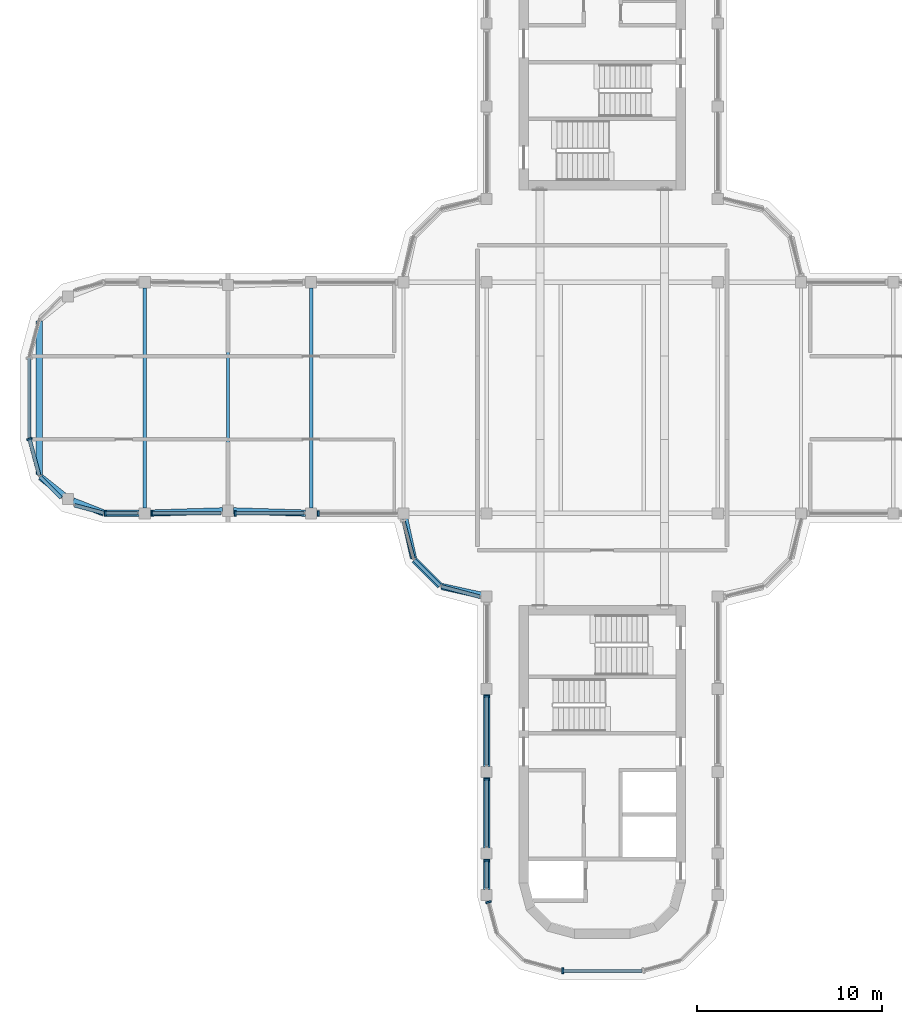
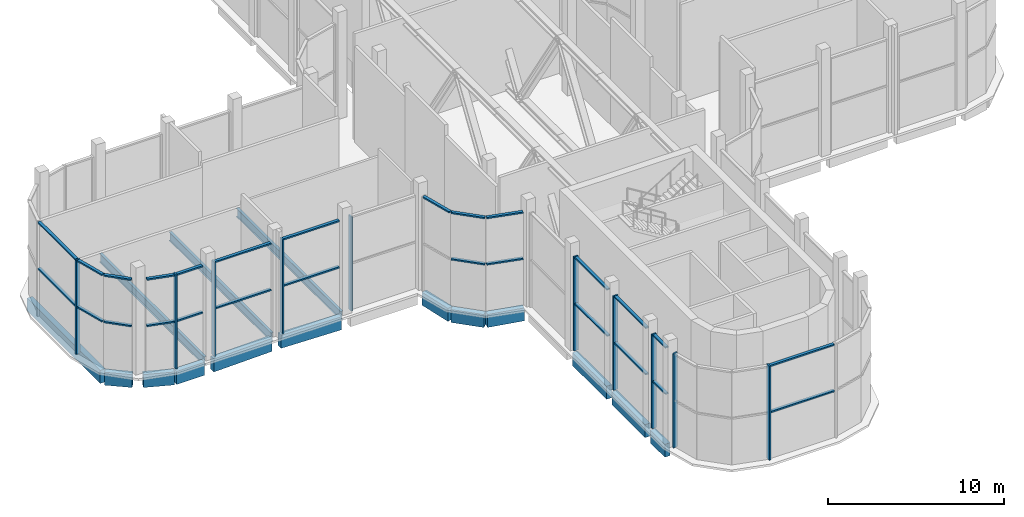
# One storey, part 2 of 15: 37 members, 15 beams, 11 elements without a shape of their own.
"""IFC4 building model written with IfcOpenShell, lengths in metres."""

from ifc_helpers import new_model, si_unit, direction, frame, origin, origin_2d, place, context, subcontext, project, spatial, polyline, rectangle, i_section, outline, extrude, source, transform, mapped, material, material_profile, profile_set, type_object, element, aggregate, save


model = new_model("IFC4")

# Units and contexts
model_context = context("Model", 3, precision=1e-05, world=origin(), true_north=direction((0.0, 1.0)))
body_context = subcontext(model_context, "Body", "Model", "MODEL_VIEW")
ifc_project = project(units=[si_unit("LENGTHUNIT", "METRE"), si_unit("AREAUNIT", "SQUARE_METRE"), si_unit("VOLUMEUNIT", "CUBIC_METRE"), si_unit("PLANEANGLEUNIT", "RADIAN"), si_unit("MASSUNIT", "GRAM", prefix="KILO")], contexts=[model_context])

# Site, building, storey
site_placement = place(None, origin())
site = spatial("IfcSite", under=ifc_project, at=site_placement, CompositionType="ELEMENT")
building_placement = place(site_placement, origin())
building = spatial("IfcBuilding", under=site, at=building_placement, Name="Zarbagh Exchange Tower", CompositionType="ELEMENT")
storey_placement = place(building_placement, frame((0.0, 0.0, 284.0)))
storey = spatial("IfcBuildingStorey", under=building, at=storey_placement, Name="L70", CompositionType="ELEMENT", Elevation=284.0)

# Beams
ifc_material_1 = material(Name="Steel ASTM A992 Gr 50", Category="steel")
ifc_material_profile_1 = material_profile(ifc_material_1, i_section(OverallWidth=0.1787109375, OverallDepth=0.60205078125, WebThickness=0.010986328125, FlangeThickness=0.014892578125, at=origin_2d()), Name="W24X62")
ifc_profile_set_1 = profile_set([ifc_material_profile_1], Name="Steel ASTM A992 Gr 50")
beam_type_1 = type_object("IfcBeamType", Name="Floor beam W24X62", PredefinedType="BEAM", material=ifc_profile_set_1)
beam_1_placement = place(storey_placement, frame((-15.75, -5.949951171875, -0.450927734375), z_axis=(0.0, 1.0, 0.0), x_axis=(-1.0, 0.0, 0.0)))
element("IfcBeam", 1, at=beam_1_placement, inside=storey, type_object=beam_type_1, Name="Steel floor beam", PredefinedType="BEAM", context=body_context, shape_type="SweptSolid", body=[
    extrude(i_section(OverallWidth=0.1787109375, OverallDepth=0.60205078125, WebThickness=0.010986328125, FlangeThickness=0.014892578125, at=origin_2d()), origin(), (0.0, 0.0, 1.0), 11.89990234375),
])
beam_2_placement = place(storey_placement, frame((-20.25, -5.81005859375, -0.450927734375), z_axis=(0.0, 1.0, 0.0), x_axis=(-1.0, 0.0, 0.0)))
element("IfcBeam", 2, at=beam_2_placement, inside=storey, type_object=beam_type_1, Name="Steel floor beam", PredefinedType="BEAM", context=body_context, shape_type="SweptSolid", body=[
    extrude(i_section(OverallWidth=0.1787109375, OverallDepth=0.60205078125, WebThickness=0.010986328125, FlangeThickness=0.014892578125, at=origin_2d()), origin(), (0.0, 0.0, 1.0), 11.6201171875),
])
beam_3_placement = place(storey_placement, frame((-24.75, -5.949951171875, -0.450927734375), z_axis=(0.0, 1.0, 0.0), x_axis=(-1.0, 0.0, 0.0)))
element("IfcBeam", 3, at=beam_3_placement, inside=storey, type_object=beam_type_1, Name="Steel floor beam", PredefinedType="BEAM", context=body_context, shape_type="SweptSolid", body=[
    extrude(i_section(OverallWidth=0.1787109375, OverallDepth=0.60205078125, WebThickness=0.010986328125, FlangeThickness=0.014892578125, at=origin_2d()), origin(), (0.0, 0.0, 1.0), 11.89990234375),
])
ifc_material_2 = material(Name="Concrete C40/50", Category="concrete")
ifc_material_profile_2 = material_profile(ifc_material_2, rectangle(XDim=0.35009765625, YDim=0.89990234375, at=origin_2d()), Name="RC spandrel beam 350 x 900 C40/50")
ifc_profile_set_2 = profile_set([ifc_material_profile_2], Name="Concrete C40/50")
beam_type_2 = type_object("IfcBeamType", Name="RC spandrel beam 350 x 900 C40/50", PredefinedType="SPANDREL", material=ifc_profile_set_2)
beam_4_placement = place(storey_placement, frame((-6.25, -26.60009765625, -0.60009765625), z_axis=(0.0, 1.0, 0.0), x_axis=(-1.0, 0.0, 0.0)))
element("IfcBeam", 4, at=beam_4_placement, inside=storey, type_object=beam_type_2, Name="RC spandrel beam", PredefinedType="SPANDREL", context=body_context, shape_type="SweptSolid", body=[
    extrude(rectangle(XDim=0.35009765625, YDim=0.89990234375, at=origin_2d()), origin(), (0.0, 0.0, 1.0), 1.650146484375),
])
beam_5_placement = place(storey_placement, frame((-6.25, -24.35009765625, -0.60009765625), z_axis=(0.0, 1.0, 0.0), x_axis=(-1.0, 0.0, 0.0)))
element("IfcBeam", 5, at=beam_5_placement, inside=storey, type_object=beam_type_2, Name="RC spandrel beam", PredefinedType="SPANDREL", context=body_context, shape_type="SweptSolid", body=[
    extrude(rectangle(XDim=0.35009765625, YDim=0.89990234375, at=origin_2d()), origin(), (0.0, 0.0, 1.0), 3.800048828125),
])
beam_6_placement = place(storey_placement, frame((-6.25, -19.949951171875, -0.60009765625), z_axis=(0.0, 1.0, 0.0), x_axis=(-1.0, 0.0, 0.0)))
element("IfcBeam", 6, at=beam_6_placement, inside=storey, type_object=beam_type_2, Name="RC spandrel beam", PredefinedType="SPANDREL", context=body_context, shape_type="SweptSolid", body=[
    extrude(rectangle(XDim=0.35009765625, YDim=0.89990234375, at=origin_2d()), origin(), (0.0, 0.0, 1.0), 3.89990234375),
])
beam_7_placement = place(storey_placement, frame((-6.54296875, -10.685302734375, -0.60009765625), z_axis=(-0.976387662047, 0.216025770228, 0.0), x_axis=(-0.216025770228, -0.976387662047, 0.0)))
element("IfcBeam", 7, at=beam_7_placement, inside=storey, type_object=beam_type_2, Name="RC spandrel beam", PredefinedType="SPANDREL", context=body_context, shape_type="SweptSolid", body=[
    extrude(rectangle(XDim=0.35009765625, YDim=0.89990234375, at=origin_2d()), origin(), (0.0, 0.0, 1.0), 2.200439453125),
])
beam_8_placement = place(storey_placement, frame((-8.77734375, -10.16259765625, -0.60009765625), z_axis=(-0.707106781187, 0.707106781187, 0.0), x_axis=(-0.707106781187, -0.707106781187, 0.0)))
element("IfcBeam", 8, at=beam_8_placement, inside=storey, type_object=beam_type_2, Name="RC spandrel beam", PredefinedType="SPANDREL", context=body_context, shape_type="SweptSolid", body=[
    extrude(rectangle(XDim=0.35009765625, YDim=0.89990234375, at=origin_2d()), origin(), (0.0, 0.0, 1.0), 1.958984375),
])
beam_9_placement = place(storey_placement, frame((-10.2099609375, -8.69140625, -0.60009765625), z_axis=(-0.216025770228, 0.976387662047, 0.0), x_axis=(-0.976387662047, -0.216025770228, 0.0)))
element("IfcBeam", 9, at=beam_9_placement, inside=storey, type_object=beam_type_2, Name="RC spandrel beam", PredefinedType="SPANDREL", context=body_context, shape_type="SweptSolid", body=[
    extrude(rectangle(XDim=0.35009765625, YDim=0.89990234375, at=origin_2d()), origin(), (0.0, 0.0, 1.0), 2.200439453125),
])
for number, where, z_axis, x_axis, name in (
    (10, (-16.0498046875, -6.24072265625, -0.60009765625), (-0.999516460907, 0.031094121249, 0.0), (-0.031094121249, -0.999516460907, 0.0), "RC spandrel beam"),
    (11, (-20.5498046875, -6.119384765625, -0.60009765625), (-0.999516460907, -0.031094121249, 0.0), (0.031094121249, -0.999516460907, 0.0), "RC spandrel beam"),
):
    element("IfcBeam", number, at=place(storey_placement, frame(where, z_axis=z_axis, x_axis=x_axis)), inside=storey, type_object=beam_type_2, Name=name, PredefinedType="SPANDREL", context=body_context, shape_type="SweptSolid", body=[
        extrude(rectangle(XDim=0.35009765625, YDim=0.89990234375, at=origin_2d()), origin(), (0.0, 0.0, 1.0), 3.90234375),
    ])
beam_10_placement = place(storey_placement, frame((-25.050048828125, -6.25, -0.60009765625), z_axis=(-1.0, 0.0, 0.0), x_axis=(0.0, -1.0, 0.0)))
element("IfcBeam", 12, at=beam_10_placement, inside=storey, type_object=beam_type_2, Name="RC spandrel beam", PredefinedType="SPANDREL", context=body_context, shape_type="SweptSolid", body=[
    extrude(rectangle(XDim=0.35009765625, YDim=0.89990234375, at=origin_2d()), origin(), (0.0, 0.0, 1.0), 1.850830078125),
])
beam_11_placement = place(storey_placement, frame((-26.965087890625, -6.23779296875, -0.60009765625), z_axis=(-0.930859366381, 0.365377667655, 0.0), x_axis=(-0.365377667655, -0.930859366381, 0.0)))
element("IfcBeam", 13, at=beam_11_placement, inside=storey, type_object=beam_type_2, Name="RC spandrel beam", PredefinedType="SPANDREL", context=body_context, shape_type="SweptSolid", body=[
    extrude(rectangle(XDim=0.35009765625, YDim=0.89990234375, at=origin_2d()), origin(), (0.0, 0.0, 1.0), 1.787353515625),
])
beam_12_placement = place(storey_placement, frame((-29.14208984375, -5.28759765625, -0.60009765625), z_axis=(-0.780584122498, 0.625050740104, 0.0), x_axis=(-0.625050740104, -0.780584122498, 0.0)))
element("IfcBeam", 14, at=beam_12_placement, inside=storey, type_object=beam_type_2, Name="RC spandrel beam", PredefinedType="SPANDREL", context=body_context, shape_type="SweptSolid", body=[
    extrude(rectangle(XDim=0.35009765625, YDim=0.89990234375, at=origin_2d()), origin(), (0.0, 0.0, 1.0), 1.590087890625),
])
beam_13_placement = place(storey_placement, frame((-30.44873046875, -4.156982421875, -0.60009765625), z_axis=(0.0, 1.0, 0.0), x_axis=(-1.0, 0.0, 0.0)))
element("IfcBeam", 15, at=beam_13_placement, inside=storey, type_object=beam_type_2, Name="RC spandrel beam", PredefinedType="SPANDREL", context=body_context, shape_type="SweptSolid", body=[
    extrude(rectangle(XDim=0.35009765625, YDim=0.89990234375, at=origin_2d()), origin(), (0.0, 0.0, 1.0), 8.31396484375),
])

# Curtain wall, member
ifc_material_3 = material(Name="Anodised aluminium frame and glazing", Category="aluminium")
curtain_wall_type = type_object("IfcCurtainWallType", Name="CWE Damper-floor glazed wall", PredefinedType="NOTDEFINED", material=ifc_material_3)
curtain_wall_1_placement = place(storey_placement, origin())
curtain_wall_1 = element("IfcCurtainWall", 16, at=curtain_wall_1_placement, inside=storey, type_object=curtain_wall_type, Name="CWE36 curtain wall", PredefinedType="NOTDEFINED")
ifc_material_4 = material(Name="Anodised aluminium frame", Category="aluminium")
member_type_1 = type_object("IfcMemberType", Name="MUE Mullion, anodised aluminium frame", PredefinedType="MULLION", material=ifc_material_4)
shared_shape_1 = source(origin(), body_context, "Body", "SweptSolid", [
    extrude(outline(polyline([(0.0, -0.14990234375), (0.10009765625, -0.14990234375), (0.10009765625, 0.14990234375), (0.0, 0.14990234375), (0.0, -0.14990234375)])), origin(), (0.0, 0.0, 1.0), 6.550048828125),
])
placement = place(storey_placement, origin())
member_1 = element("IfcMember", 17, at=placement, type_object=member_type_1, Name="CWE36 mullion 1.1", PredefinedType="MULLION", context=body_context, shape_type="MappedRepresentation", body=[
    mapped(shared_shape_1, transform((-31.0, -2.18408203125, 0.0), x_axis=(0.258824779902, -0.965924289636, 0.0), y_axis=(0.965924289636, 0.258824779902, 0.0), z_axis=(0.0, 0.0, 1.0))),
])

# Curtain wall, members
curtain_wall_2_placement = place(storey_placement, origin())
curtain_wall_2 = element("IfcCurtainWall", 18, at=curtain_wall_2_placement, inside=storey, type_object=curtain_wall_type, Name="CWE39 curtain wall", PredefinedType="NOTDEFINED")
member_2 = element("IfcMember", 19, at=placement, type_object=member_type_1, Name="CWE39 mullion 1.1", PredefinedType="MULLION", context=body_context, shape_type="MappedRepresentation", body=[
    mapped(shared_shape_1, transform((-26.93408203125, -6.25, 0.0), x_axis=(1.0, 0.0, 0.0), y_axis=(0.0, 1.0, 0.0), z_axis=(0.0, 0.0, 1.0))),
])
member_3 = element("IfcMember", 20, at=placement, type_object=member_type_1, Name="CWE39 mullion 2.1", PredefinedType="MULLION", context=body_context, shape_type="MappedRepresentation", body=[
    mapped(shared_shape_1, transform((-24.409912109375, -6.25, 0.0), x_axis=(1.0, 0.0, 0.0), y_axis=(0.0, 1.0, 0.0), z_axis=(0.0, 0.0, 1.0))),
])
member_4 = element("IfcMember", 21, at=placement, type_object=member_type_1, Name="CWE39 mullion 3.1", PredefinedType="MULLION", context=body_context, shape_type="MappedRepresentation", body=[
    mapped(shared_shape_1, transform((-19.909912109375, -6.25, 0.0), x_axis=(1.0, 0.0, 0.0), y_axis=(0.0, 1.0, 0.0), z_axis=(0.0, 0.0, 1.0))),
])
member_5 = element("IfcMember", 22, at=placement, type_object=member_type_1, Name="CWE39 mullion 4.1", PredefinedType="MULLION", context=body_context, shape_type="MappedRepresentation", body=[
    mapped(shared_shape_1, transform((-15.409912109375, -6.25, 0.0), x_axis=(1.0, 0.0, 0.0), y_axis=(0.0, 1.0, 0.0), z_axis=(0.0, 0.0, 1.0))),
])

curtain_wall_3_placement = place(storey_placement, origin())
curtain_wall_3 = element("IfcCurtainWall", 23, at=curtain_wall_3_placement, inside=storey, type_object=curtain_wall_type, Name="CWE43 curtain wall", PredefinedType="NOTDEFINED")
member_6 = element("IfcMember", 24, at=placement, type_object=member_type_1, Name="CWE43 mullion 2.1", PredefinedType="MULLION", context=body_context, shape_type="MappedRepresentation", body=[
    mapped(shared_shape_1, transform((-6.25, -16.090087890625, 0.0), x_axis=(0.0, -1.0, 0.0), y_axis=(1.0, 0.0, 0.0), z_axis=(0.0, 0.0, 1.0))),
])
member_7 = element("IfcMember", 25, at=placement, type_object=member_type_1, Name="CWE43 mullion 3.1", PredefinedType="MULLION", context=body_context, shape_type="MappedRepresentation", body=[
    mapped(shared_shape_1, transform((-6.25, -20.590087890625, 0.0), x_axis=(0.0, -1.0, 0.0), y_axis=(1.0, 0.0, 0.0), z_axis=(0.0, 0.0, 1.0))),
])
member_8 = element("IfcMember", 26, at=placement, type_object=member_type_1, Name="CWE43 mullion 4.1", PredefinedType="MULLION", context=body_context, shape_type="MappedRepresentation", body=[
    mapped(shared_shape_1, transform((-6.25, -24.989990234375, 0.0), x_axis=(0.0, -1.0, 0.0), y_axis=(1.0, 0.0, 0.0), z_axis=(0.0, 0.0, 1.0))),
])

# Curtain wall, member
curtain_wall_4_placement = place(storey_placement, origin())
curtain_wall_4 = element("IfcCurtainWall", 27, at=curtain_wall_4_placement, inside=storey, type_object=curtain_wall_type, Name="CWE44 curtain wall", PredefinedType="NOTDEFINED")
member_9 = element("IfcMember", 28, at=placement, type_object=member_type_1, Name="CWE44 mullion 1.1", PredefinedType="MULLION", context=body_context, shape_type="MappedRepresentation", body=[
    mapped(shared_shape_1, transform((-6.16796875, -27.239990234375, 0.0), x_axis=(0.258824779902, -0.965924289636, 0.0), y_axis=(0.965924289636, 0.258824779902, 0.0), z_axis=(0.0, 0.0, 1.0))),
])
aggregate(curtain_wall_4, [member_9])

curtain_wall_5_placement = place(storey_placement, origin())
curtain_wall_5 = element("IfcCurtainWall", 29, at=curtain_wall_5_placement, inside=storey, type_object=curtain_wall_type, Name="CWE47 curtain wall", PredefinedType="NOTDEFINED")
member_10 = element("IfcMember", 30, at=placement, type_object=member_type_1, Name="CWE47 mullion 1.1", PredefinedType="MULLION", context=body_context, shape_type="MappedRepresentation", body=[
    mapped(shared_shape_1, transform((-2.18408203125, -31.0, 0.0), x_axis=(1.0, 0.0, 0.0), y_axis=(0.0, 1.0, 0.0), z_axis=(0.0, 0.0, 1.0))),
])

# Member
member_type_2 = type_object("IfcMemberType", Name="TRE Transom, anodised aluminium frame", PredefinedType="USERDEFINED", material=ifc_material_4)
shared_shape_2 = source(origin(), body_context, "Body", "SweptSolid", [
    extrude(outline(polyline([(-0.10009765625, -0.10009765625), (0.0, -0.10009765625), (0.0, 0.10009765625), (-0.10009765625, 0.10009765625), (-0.10009765625, -0.10009765625)])), origin(), (0.0, 0.0, 1.0), 2.049560546875),
])
member_11 = element("IfcMember", 31, at=placement, type_object=member_type_2, Name="CWE36 transom 1.1", ObjectType="TRANSOM", PredefinedType="USERDEFINED", context=body_context, shape_type="MappedRepresentation", body=[
    mapped(shared_shape_2, transform((-30.98974609375, -2.222900390625, 6.550048828125), x_axis=(0.0, 0.0, 1.0), y_axis=(-0.965924289636, -0.258824779902, 0.0), z_axis=(0.258824779902, -0.965924289636, 0.0))),
])

shared_shape_3 = source(origin(), body_context, "Body", "SweptSolid", [
    extrude(outline(polyline([(-0.050048828125, -0.10009765625), (0.050048828125, -0.10009765625), (0.050048828125, 0.10009765625), (-0.050048828125, 0.10009765625), (-0.050048828125, -0.10009765625)])), origin(), (0.0, 0.0, 1.0), 2.049560546875),
])
member_12 = element("IfcMember", 32, at=placement, type_object=member_type_2, Name="CWE36 mid transom 1", ObjectType="TRANSOM", PredefinedType="USERDEFINED", context=body_context, shape_type="MappedRepresentation", body=[
    mapped(shared_shape_3, transform((-30.98974609375, -2.222900390625, 3.27490234375), x_axis=(0.0, 0.0, 1.0), y_axis=(-0.965924289636, -0.258824779902, 0.0), z_axis=(0.258824779902, -0.965924289636, 0.0))),
])

aggregate(curtain_wall_1, [member_1, member_11, member_12])

# Curtain wall, members
curtain_wall_6_placement = place(storey_placement, origin())
curtain_wall_6 = element("IfcCurtainWall", 33, at=curtain_wall_6_placement, inside=storey, type_object=curtain_wall_type, Name="CWE41 curtain wall", PredefinedType="NOTDEFINED")
shared_shape_4 = source(origin(), body_context, "Body", "SweptSolid", [
    extrude(outline(polyline([(-0.10009765625, -0.10009765625), (0.0, -0.10009765625), (0.0, 0.10009765625), (-0.10009765625, 0.10009765625), (-0.10009765625, -0.10009765625)])), origin(), (0.0, 0.0, 1.0), 1.9814453125),
])
member_13 = element("IfcMember", 34, at=placement, type_object=member_type_2, Name="CWE41 transom 1.1", ObjectType="TRANSOM", PredefinedType="USERDEFINED", context=body_context, shape_type="MappedRepresentation", body=[
    mapped(shared_shape_4, transform((-10.17041015625, -8.76953125, 6.550048828125), x_axis=(0.0, 0.0, 1.0), y_axis=(-0.707106781187, -0.707106781187, 0.0), z_axis=(0.707106781187, -0.707106781187, 0.0))),
])
shared_shape_5 = source(origin(), body_context, "Body", "SweptSolid", [
    extrude(outline(polyline([(-0.050048828125, -0.10009765625), (0.050048828125, -0.10009765625), (0.050048828125, 0.10009765625), (-0.050048828125, 0.10009765625), (-0.050048828125, -0.10009765625)])), origin(), (0.0, 0.0, 1.0), 1.9814453125),
])
member_14 = element("IfcMember", 35, at=placement, type_object=member_type_2, Name="CWE41 mid transom 1", ObjectType="TRANSOM", PredefinedType="USERDEFINED", context=body_context, shape_type="MappedRepresentation", body=[
    mapped(shared_shape_5, transform((-10.17041015625, -8.76953125, 3.27490234375), x_axis=(0.0, 0.0, 1.0), y_axis=(-0.707106781187, -0.707106781187, 0.0), z_axis=(0.707106781187, -0.707106781187, 0.0))),
])
aggregate(curtain_wall_6, [member_13, member_14])

# Member
shared_shape_6 = source(origin(), body_context, "Body", "SweptSolid", [
    extrude(outline(polyline([(-0.10009765625, -0.10009765625), (0.0, -0.10009765625), (0.0, 0.10009765625), (-0.10009765625, 0.10009765625), (-0.10009765625, -0.10009765625)])), origin(), (0.0, 0.0, 1.0), 1.489990234375),
])
member_15 = element("IfcMember", 36, at=placement, type_object=member_type_2, Name="CWE43 transom 4.1", ObjectType="TRANSOM", PredefinedType="USERDEFINED", context=body_context, shape_type="MappedRepresentation", body=[
    mapped(shared_shape_6, transform((-6.25, -25.030029296875, 6.550048828125), x_axis=(0.0, 0.0, 1.0), y_axis=(-1.0, 0.0, 0.0), z_axis=(0.0, -1.0, 0.0))),
])

shared_shape_7 = source(origin(), body_context, "Body", "SweptSolid", [
    extrude(outline(polyline([(-0.050048828125, -0.10009765625), (0.050048828125, -0.10009765625), (0.050048828125, 0.10009765625), (-0.050048828125, 0.10009765625), (-0.050048828125, -0.10009765625)])), origin(), (0.0, 0.0, 1.0), 1.489990234375),
])
member_16 = element("IfcMember", 37, at=placement, type_object=member_type_2, Name="CWE43 mid transom 4", ObjectType="TRANSOM", PredefinedType="USERDEFINED", context=body_context, shape_type="MappedRepresentation", body=[
    mapped(shared_shape_7, transform((-6.25, -25.030029296875, 3.27490234375), x_axis=(0.0, 0.0, 1.0), y_axis=(-1.0, 0.0, 0.0), z_axis=(0.0, -1.0, 0.0))),
])

shared_shape_8 = source(origin(), body_context, "Body", "SweptSolid", [
    extrude(outline(polyline([(-0.10009765625, -0.10009765625), (0.0, -0.10009765625), (0.0, 0.10009765625), (-0.10009765625, 0.10009765625), (-0.10009765625, -0.10009765625)])), origin(), (0.0, 0.0, 1.0), 3.639892578125),
])
member_17 = element("IfcMember", 38, at=placement, type_object=member_type_2, Name="CWE43 transom 3.1", ObjectType="TRANSOM", PredefinedType="USERDEFINED", context=body_context, shape_type="MappedRepresentation", body=[
    mapped(shared_shape_8, transform((-6.25, -20.630126953125, 6.550048828125), x_axis=(0.0, 0.0, 1.0), y_axis=(-1.0, 0.0, 0.0), z_axis=(0.0, -1.0, 0.0))),
])

shared_shape_9 = source(origin(), body_context, "Body", "SweptSolid", [
    extrude(outline(polyline([(-0.050048828125, -0.10009765625), (0.050048828125, -0.10009765625), (0.050048828125, 0.10009765625), (-0.050048828125, 0.10009765625), (-0.050048828125, -0.10009765625)])), origin(), (0.0, 0.0, 1.0), 3.639892578125),
])
member_18 = element("IfcMember", 39, at=placement, type_object=member_type_2, Name="CWE43 mid transom 3", ObjectType="TRANSOM", PredefinedType="USERDEFINED", context=body_context, shape_type="MappedRepresentation", body=[
    mapped(shared_shape_9, transform((-6.25, -20.630126953125, 3.27490234375), x_axis=(0.0, 0.0, 1.0), y_axis=(-1.0, 0.0, 0.0), z_axis=(0.0, -1.0, 0.0))),
])

shared_shape_10 = source(origin(), body_context, "Body", "SweptSolid", [
    extrude(outline(polyline([(-0.10009765625, -0.10009765625), (0.0, -0.10009765625), (0.0, 0.10009765625), (-0.10009765625, 0.10009765625), (-0.10009765625, -0.10009765625)])), origin(), (0.0, 0.0, 1.0), 3.739990234375),
])
member_19 = element("IfcMember", 40, at=placement, type_object=member_type_2, Name="CWE39 transom 2.1", ObjectType="TRANSOM", PredefinedType="USERDEFINED", context=body_context, shape_type="MappedRepresentation", body=[
    mapped(shared_shape_10, transform((-24.369873046875, -6.25, 6.550048828125), x_axis=(0.0, 0.0, 1.0), y_axis=(0.0, -1.0, 0.0), z_axis=(1.0, 0.0, 0.0))),
])

member_20 = element("IfcMember", 41, at=placement, type_object=member_type_2, Name="CWE39 transom 3.1", ObjectType="TRANSOM", PredefinedType="USERDEFINED", context=body_context, shape_type="MappedRepresentation", body=[
    mapped(shared_shape_10, transform((-19.869873046875, -6.25, 6.550048828125), x_axis=(0.0, 0.0, 1.0), y_axis=(0.0, -1.0, 0.0), z_axis=(1.0, 0.0, 0.0))),
])

member_21 = element("IfcMember", 42, at=placement, type_object=member_type_2, Name="CWE43 transom 2.1", ObjectType="TRANSOM", PredefinedType="USERDEFINED", context=body_context, shape_type="MappedRepresentation", body=[
    mapped(shared_shape_10, transform((-6.25, -16.130126953125, 6.550048828125), x_axis=(0.0, 0.0, 1.0), y_axis=(-1.0, 0.0, 0.0), z_axis=(0.0, -1.0, 0.0))),
])

shared_shape_11 = source(origin(), body_context, "Body", "SweptSolid", [
    extrude(outline(polyline([(-0.050048828125, -0.10009765625), (0.050048828125, -0.10009765625), (0.050048828125, 0.10009765625), (-0.050048828125, 0.10009765625), (-0.050048828125, -0.10009765625)])), origin(), (0.0, 0.0, 1.0), 3.739990234375),
])
member_22 = element("IfcMember", 43, at=placement, type_object=member_type_2, Name="CWE39 mid transom 2", ObjectType="TRANSOM", PredefinedType="USERDEFINED", context=body_context, shape_type="MappedRepresentation", body=[
    mapped(shared_shape_11, transform((-24.369873046875, -6.25, 3.27490234375), x_axis=(0.0, 0.0, 1.0), y_axis=(0.0, -1.0, 0.0), z_axis=(1.0, 0.0, 0.0))),
])

member_23 = element("IfcMember", 44, at=placement, type_object=member_type_2, Name="CWE39 mid transom 3", ObjectType="TRANSOM", PredefinedType="USERDEFINED", context=body_context, shape_type="MappedRepresentation", body=[
    mapped(shared_shape_11, transform((-19.869873046875, -6.25, 3.27490234375), x_axis=(0.0, 0.0, 1.0), y_axis=(0.0, -1.0, 0.0), z_axis=(1.0, 0.0, 0.0))),
])

member_24 = element("IfcMember", 45, at=placement, type_object=member_type_2, Name="CWE43 mid transom 2", ObjectType="TRANSOM", PredefinedType="USERDEFINED", context=body_context, shape_type="MappedRepresentation", body=[
    mapped(shared_shape_11, transform((-6.25, -16.130126953125, 3.27490234375), x_axis=(0.0, 0.0, 1.0), y_axis=(-1.0, 0.0, 0.0), z_axis=(0.0, -1.0, 0.0))),
])

aggregate(curtain_wall_3, [member_6, member_21, member_24, member_7, member_17, member_18, member_8, member_15, member_16])

# Curtain wall, member
curtain_wall_7_placement = place(storey_placement, origin())
curtain_wall_7 = element("IfcCurtainWall", 46, at=curtain_wall_7_placement, inside=storey, type_object=curtain_wall_type, Name="CWE40 curtain wall", PredefinedType="NOTDEFINED")
shared_shape_12 = source(origin(), body_context, "Body", "SweptSolid", [
    extrude(outline(polyline([(-0.10009765625, -0.10009765625), (0.0, -0.10009765625), (0.0, 0.10009765625), (-0.10009765625, 0.10009765625), (-0.10009765625, -0.10009765625)])), origin(), (0.0, 0.0, 1.0), 2.147216796875),
])
member_25 = element("IfcMember", 47, at=placement, type_object=member_type_2, Name="CWE40 transom 1.1", ObjectType="TRANSOM", PredefinedType="USERDEFINED", context=body_context, shape_type="MappedRepresentation", body=[
    mapped(shared_shape_12, transform((-10.764892578125, -6.628662109375, 6.550048828125), x_axis=(0.0, 0.0, 1.0), y_axis=(-0.965924289636, -0.258824779902, 0.0), z_axis=(0.258824779902, -0.965924289636, 0.0))),
])
aggregate(curtain_wall_7, [member_25])

# Curtain wall, members
curtain_wall_8_placement = place(storey_placement, origin())
curtain_wall_8 = element("IfcCurtainWall", 48, at=curtain_wall_8_placement, inside=storey, type_object=curtain_wall_type, Name="CWE42 curtain wall", PredefinedType="NOTDEFINED")
member_26 = element("IfcMember", 49, at=placement, type_object=member_type_2, Name="CWE42 transom 1.1", ObjectType="TRANSOM", PredefinedType="USERDEFINED", context=body_context, shape_type="MappedRepresentation", body=[
    mapped(shared_shape_12, transform((-8.70263671875, -10.209228515625, 6.550048828125), x_axis=(0.0, 0.0, 1.0), y_axis=(-0.258824779902, -0.965924289636, 0.0), z_axis=(0.965924289636, -0.258824779902, 0.0))),
])
shared_shape_13 = source(origin(), body_context, "Body", "SweptSolid", [
    extrude(outline(polyline([(-0.050048828125, -0.10009765625), (0.050048828125, -0.10009765625), (0.050048828125, 0.10009765625), (-0.050048828125, 0.10009765625), (-0.050048828125, -0.10009765625)])), origin(), (0.0, 0.0, 1.0), 2.147216796875),
])
member_27 = element("IfcMember", 50, at=placement, type_object=member_type_2, Name="CWE42 mid transom 1", ObjectType="TRANSOM", PredefinedType="USERDEFINED", context=body_context, shape_type="MappedRepresentation", body=[
    mapped(shared_shape_13, transform((-8.70263671875, -10.209228515625, 3.27490234375), x_axis=(0.0, 0.0, 1.0), y_axis=(-0.258824779902, -0.965924289636, 0.0), z_axis=(0.965924289636, -0.258824779902, 0.0))),
])
aggregate(curtain_wall_8, [member_26, member_27])

# Member
shared_shape_14 = source(origin(), body_context, "Body", "SweptSolid", [
    extrude(outline(polyline([(-0.10009765625, -0.10009765625), (0.0, -0.10009765625), (0.0, 0.10009765625), (-0.10009765625, 0.10009765625), (-0.10009765625, -0.10009765625)])), origin(), (0.0, 0.0, 1.0), 1.76416015625),
])
member_28 = element("IfcMember", 51, at=placement, type_object=member_type_2, Name="CWE39 transom 1.1", ObjectType="TRANSOM", PredefinedType="USERDEFINED", context=body_context, shape_type="MappedRepresentation", body=[
    mapped(shared_shape_14, transform((-26.894287109375, -6.25, 6.550048828125), x_axis=(0.0, 0.0, 1.0), y_axis=(0.0, -1.0, 0.0), z_axis=(1.0, 0.0, 0.0))),
])

shared_shape_15 = source(origin(), body_context, "Body", "SweptSolid", [
    extrude(outline(polyline([(-0.050048828125, -0.10009765625), (0.050048828125, -0.10009765625), (0.050048828125, 0.10009765625), (-0.050048828125, 0.10009765625), (-0.050048828125, -0.10009765625)])), origin(), (0.0, 0.0, 1.0), 1.76416015625),
])
member_29 = element("IfcMember", 52, at=placement, type_object=member_type_2, Name="CWE39 mid transom 1", ObjectType="TRANSOM", PredefinedType="USERDEFINED", context=body_context, shape_type="MappedRepresentation", body=[
    mapped(shared_shape_15, transform((-26.894287109375, -6.25, 3.27490234375), x_axis=(0.0, 0.0, 1.0), y_axis=(0.0, -1.0, 0.0), z_axis=(1.0, 0.0, 0.0))),
])

aggregate(curtain_wall_2, [member_2, member_28, member_29, member_3, member_19, member_22, member_4, member_20, member_23, member_5])

# Curtain wall, members
curtain_wall_9_placement = place(storey_placement, origin())
curtain_wall_9 = element("IfcCurtainWall", 53, at=curtain_wall_9_placement, inside=storey, type_object=curtain_wall_type, Name="CWE38 curtain wall", PredefinedType="NOTDEFINED")
shared_shape_16 = source(origin(), body_context, "Body", "SweptSolid", [
    extrude(outline(polyline([(-0.10009765625, -0.10009765625), (0.0, -0.10009765625), (0.0, 0.10009765625), (-0.10009765625, 0.10009765625), (-0.10009765625, -0.10009765625)])), origin(), (0.0, 0.0, 1.0), 1.611572265625),
])
member_30 = element("IfcMember", 54, at=placement, type_object=member_type_2, Name="CWE38 transom 1.1", ObjectType="TRANSOM", PredefinedType="USERDEFINED", context=body_context, shape_type="MappedRepresentation", body=[
    mapped(shared_shape_16, transform((-28.529296875, -5.822509765625, 6.550048828125), x_axis=(0.0, 0.0, 1.0), y_axis=(-0.258824779902, -0.965924289636, 0.0), z_axis=(0.965924289636, -0.258824779902, 0.0))),
])
shared_shape_17 = source(origin(), body_context, "Body", "SweptSolid", [
    extrude(outline(polyline([(-0.050048828125, -0.10009765625), (0.050048828125, -0.10009765625), (0.050048828125, 0.10009765625), (-0.050048828125, 0.10009765625), (-0.050048828125, -0.10009765625)])), origin(), (0.0, 0.0, 1.0), 1.611572265625),
])
member_31 = element("IfcMember", 55, at=placement, type_object=member_type_2, Name="CWE38 mid transom 1", ObjectType="TRANSOM", PredefinedType="USERDEFINED", context=body_context, shape_type="MappedRepresentation", body=[
    mapped(shared_shape_17, transform((-28.529296875, -5.822509765625, 3.27490234375), x_axis=(0.0, 0.0, 1.0), y_axis=(-0.258824779902, -0.965924289636, 0.0), z_axis=(0.965924289636, -0.258824779902, 0.0))),
])
aggregate(curtain_wall_9, [member_30, member_31])

curtain_wall_10_placement = place(storey_placement, origin())
curtain_wall_10 = element("IfcCurtainWall", 56, at=curtain_wall_10_placement, inside=storey, type_object=curtain_wall_type, Name="CWE37 curtain wall", PredefinedType="NOTDEFINED")
shared_shape_18 = source(origin(), body_context, "Body", "SweptSolid", [
    extrude(outline(polyline([(-0.10009765625, -0.10009765625), (0.0, -0.10009765625), (0.0, 0.10009765625), (-0.10009765625, 0.10009765625), (-0.10009765625, -0.10009765625)])), origin(), (0.0, 0.0, 1.0), 1.6181640625),
])
member_32 = element("IfcMember", 57, at=placement, type_object=member_type_2, Name="CWE37 transom 1.1", ObjectType="TRANSOM", PredefinedType="USERDEFINED", context=body_context, shape_type="MappedRepresentation", body=[
    mapped(shared_shape_18, transform((-30.42041015625, -4.26953125, 6.550048828125), x_axis=(0.0, 0.0, 1.0), y_axis=(-0.707106781187, -0.707106781187, 0.0), z_axis=(0.707106781187, -0.707106781187, 0.0))),
])
shared_shape_19 = source(origin(), body_context, "Body", "SweptSolid", [
    extrude(outline(polyline([(-0.050048828125, -0.10009765625), (0.050048828125, -0.10009765625), (0.050048828125, 0.10009765625), (-0.050048828125, 0.10009765625), (-0.050048828125, -0.10009765625)])), origin(), (0.0, 0.0, 1.0), 1.6181640625),
])
member_33 = element("IfcMember", 58, at=placement, type_object=member_type_2, Name="CWE37 mid transom 1", ObjectType="TRANSOM", PredefinedType="USERDEFINED", context=body_context, shape_type="MappedRepresentation", body=[
    mapped(shared_shape_19, transform((-30.42041015625, -4.26953125, 3.27490234375), x_axis=(0.0, 0.0, 1.0), y_axis=(-0.707106781187, -0.707106781187, 0.0), z_axis=(0.707106781187, -0.707106781187, 0.0))),
])
aggregate(curtain_wall_10, [member_32, member_33])

# Curtain wall, member
curtain_wall_11_placement = place(storey_placement, origin())
curtain_wall_11 = element("IfcCurtainWall", 59, at=curtain_wall_11_placement, inside=storey, type_object=curtain_wall_type, Name="CWE35 curtain wall", PredefinedType="NOTDEFINED")
shared_shape_20 = source(origin(), body_context, "Body", "SweptSolid", [
    extrude(outline(polyline([(-0.10009765625, -0.10009765625), (0.0, -0.10009765625), (0.0, 0.10009765625), (-0.10009765625, 0.10009765625), (-0.10009765625, -0.10009765625)])), origin(), (0.0, 0.0, 1.0), 4.288330078125),
])
member_34 = element("IfcMember", 60, at=placement, type_object=member_type_2, Name="CWE35 transom 1.1", ObjectType="TRANSOM", PredefinedType="USERDEFINED", context=body_context, shape_type="MappedRepresentation", body=[
    mapped(shared_shape_20, transform((-31.0, 2.144287109375, 6.550048828125), x_axis=(0.0, 0.0, 1.0), y_axis=(-1.0, 0.0, 0.0), z_axis=(0.0, -1.0, 0.0))),
])

# Member
member_35 = element("IfcMember", 61, at=placement, type_object=member_type_2, Name="CWE47 transom 1.1", ObjectType="TRANSOM", PredefinedType="USERDEFINED", context=body_context, shape_type="MappedRepresentation", body=[
    mapped(shared_shape_20, transform((-2.144287109375, -31.0, 6.550048828125), x_axis=(0.0, 0.0, 1.0), y_axis=(0.0, -1.0, 0.0), z_axis=(1.0, 0.0, 0.0))),
])

shared_shape_21 = source(origin(), body_context, "Body", "SweptSolid", [
    extrude(outline(polyline([(-0.050048828125, -0.10009765625), (0.050048828125, -0.10009765625), (0.050048828125, 0.10009765625), (-0.050048828125, 0.10009765625), (-0.050048828125, -0.10009765625)])), origin(), (0.0, 0.0, 1.0), 4.288330078125),
])
member_36 = element("IfcMember", 62, at=placement, type_object=member_type_2, Name="CWE35 mid transom 1", ObjectType="TRANSOM", PredefinedType="USERDEFINED", context=body_context, shape_type="MappedRepresentation", body=[
    mapped(shared_shape_21, transform((-31.0, 2.144287109375, 3.27490234375), x_axis=(0.0, 0.0, 1.0), y_axis=(-1.0, 0.0, 0.0), z_axis=(0.0, -1.0, 0.0))),
])

aggregate(curtain_wall_11, [member_34, member_36])

member_37 = element("IfcMember", 63, at=placement, type_object=member_type_2, Name="CWE47 mid transom 1", ObjectType="TRANSOM", PredefinedType="USERDEFINED", context=body_context, shape_type="MappedRepresentation", body=[
    mapped(shared_shape_21, transform((-2.144287109375, -31.0, 3.27490234375), x_axis=(0.0, 0.0, 1.0), y_axis=(0.0, -1.0, 0.0), z_axis=(1.0, 0.0, 0.0))),
])

aggregate(curtain_wall_5, [member_10, member_35, member_37])

save(model, "model.ifc")
